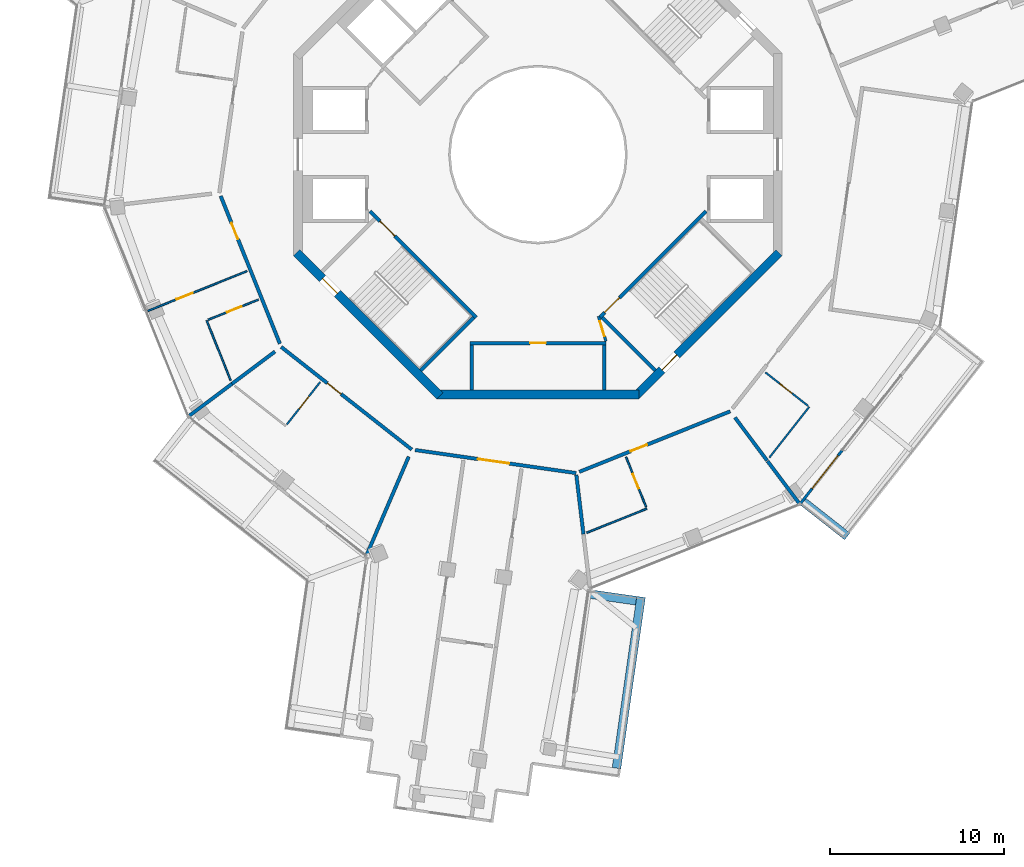
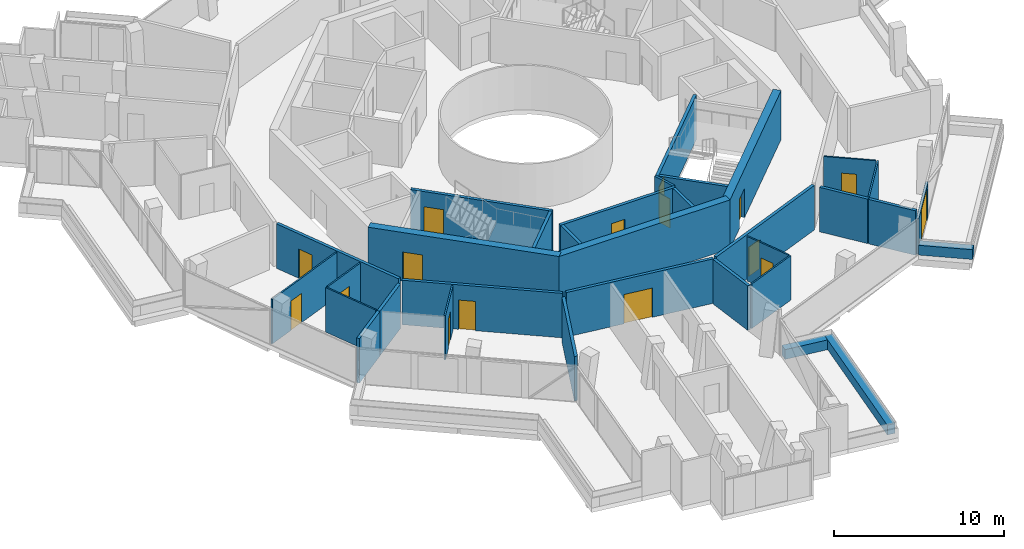
# One storey, part 16 of 23: 33 walls, 16 doors, 16 openings.
"""IFC4 building model written with IfcOpenShell, lengths in metres."""

from ifc_helpers import new_model, si_unit, direction, frame, frame_2d, origin, place, context, subcontext, project, spatial, rectangle, extrude, material, layer, layer_set, type_object, element, fill, save


model = new_model("IFC4")

# Units and contexts
model_context = context("Model", 3, precision=1e-05, world=origin(), true_north=direction((0.0, 1.0)))
body_context = subcontext(model_context, "Body", "Model", "MODEL_VIEW")
ifc_project = project(units=[si_unit("LENGTHUNIT", "METRE"), si_unit("AREAUNIT", "SQUARE_METRE"), si_unit("VOLUMEUNIT", "CUBIC_METRE"), si_unit("PLANEANGLEUNIT", "RADIAN"), si_unit("MASSUNIT", "GRAM", prefix="KILO")], contexts=[model_context])

# Site, building, storey
site_placement = place(None, origin())
site = spatial("IfcSite", under=ifc_project, at=site_placement, CompositionType="ELEMENT")
building_placement = place(site_placement, origin())
building = spatial("IfcBuilding", under=site, at=building_placement, Name="Verdalira Terraces Hotel", CompositionType="ELEMENT")
storey_placement = place(building_placement, frame((0.0, 0.0, 244.5)))
storey = spatial("IfcBuildingStorey", under=building, at=storey_placement, Name="L60", CompositionType="ELEMENT", Elevation=244.5)

# Walls
ifc_material_1 = material(Name="Concrete C40", Category="concrete")
ifc_layer_1 = layer(ifc_material_1, 0.5)
ifc_layer_set_1 = layer_set([ifc_layer_1], Name="Balcony planter trough with tree")
wall_type_1 = type_object("IfcWallType", Name="Balcony planter trough with tree", PredefinedType="SOLIDWALL", material=ifc_layer_set_1)
wall_1_placement = place(storey_placement, frame((4.504395, -35.164551, 0.0), z_axis=(0.0, 0.0, 1.0), x_axis=(0.141938642, 0.989875458, 0.0)))
element("IfcWall", 1, at=wall_1_placement, inside=storey, type_object=wall_type_1, Name="Balcony planter", PredefinedType="SOLIDWALL", context=body_context, shape_type="SweptSolid", body=[
    extrude(rectangle(XDim=9.910889, YDim=0.5, at=frame_2d((4.955566, 0.0))), origin(), (0.0, 0.0, 1.0), 0.699951),
])
wall_2_placement = place(storey_placement, frame((5.628174, -25.565918, 0.0), z_axis=(0.0, 0.0, 1.0), x_axis=(-0.989876998, 0.1419279, 0.0)))
element("IfcWall", 2, at=wall_2_placement, inside=storey, type_object=wall_type_1, Name="Balcony planter", PredefinedType="SOLIDWALL", context=body_context, shape_type="SweptSolid", body=[
    extrude(rectangle(XDim=2.698975, YDim=0.5, at=frame_2d((1.349609, 0.0))), origin(), (0.0, 0.0, 1.0), 0.699951),
])
wall_3_placement = place(storey_placement, frame((15.213135, -19.903076, 0.0), z_axis=(0.0, 0.0, 1.0), x_axis=(0.786289208, -0.617858626, 0.0)))
element("IfcWall", 3, at=wall_3_placement, inside=storey, type_object=wall_type_1, Name="Balcony planter", PredefinedType="SOLIDWALL", context=body_context, shape_type="SweptSolid", body=[
    extrude(rectangle(XDim=3.198975, YDim=0.5, at=frame_2d((1.599609, 0.0))), origin(), (0.0, 0.0, 1.0), 0.699951),
])

# Wall, opening, door
ifc_material_2 = material(Name="Moisture-resistant gypsum board partition")
ifc_layer_2 = layer(ifc_material_2, 0.10009765625)
ifc_layer_set_2 = layer_set([ifc_layer_2], Name="Bathroom partition 100 mm")
wall_type_2 = type_object("IfcWallType", Name="Bathroom partition 100 mm", PredefinedType="PARTITIONING", material=ifc_layer_set_2)
wall_4_placement = place(storey_placement, frame((-16.669434, -6.680908, 0.0), z_axis=(0.0, 0.0, 1.0), x_axis=(-0.92822734, -0.372013447, 0.0)))
wall_4 = element("IfcWall", 4, at=wall_4_placement, inside=storey, type_object=wall_type_2, Name="Bathroom partition", PredefinedType="PARTITIONING", context=body_context, shape_type="SweptSolid", body=[
    extrude(rectangle(XDim=6.149902, YDim=0.100098, at=frame_2d((3.074951, 0.0))), origin(), (0.0, 0.0, 1.0), 3.189941),
])
opening_1_placement = place(wall_4_placement, frame((3.350098, 0.0, 0.0)))
opening_1 = element("IfcOpeningElement", 5, at=opening_1_placement, cuts=wall_4, Name="Opening L60-107", PredefinedType="OPENING", context=body_context, shape_type="SweptSolid", body=[
    extrude(rectangle(XDim=1.0, YDim=2.100098, at=frame_2d((0.5, 1.050049))), frame((0.0, 0.060059, 0.0), z_axis=(0.0, -1.0, 0.0), x_axis=(1.0, 0.0, 0.0)), (0.0, 0.0, 1.0), 0.120117),
])
ifc_material_3 = material(Name="Timber door", Category="wood")
door_type_1 = type_object("IfcDoorType", Name="Suite internal door 1000 x 2100", OperationType="NOTDEFINED", PredefinedType="DOOR", material=ifc_material_3)
door_1_placement = place(opening_1_placement, origin())
door_1 = element("IfcDoor", 6, at=door_1_placement, inside=storey, type_object=door_type_1, Name="Suite internal door 6003", OperationType="SINGLE_SWING_LEFT", OverallHeight=2.10009765625, OverallWidth=1.0, PredefinedType="DOOR", context=body_context, shape_type="SweptSolid", body=[
    extrude(rectangle(XDim=1.0, YDim=2.100098, at=frame_2d((0.5, 1.050049))), frame((0.0, 0.024902, 0.0), z_axis=(0.0, -1.0, 0.0), x_axis=(1.0, 0.0, 0.0)), (0.0, 0.0, 1.0), 0.050049),
])
fill(opening_1, door_1)

# Wall
wall_5_placement = place(storey_placement, frame((-18.985596, -9.503418, 0.0), z_axis=(0.0, 0.0, 1.0), x_axis=(0.372027015, -0.928221903, 0.0)))
element("IfcWall", 7, at=wall_5_placement, inside=storey, type_object=wall_type_2, Name="Bathroom partition", PredefinedType="PARTITIONING", context=body_context, shape_type="SweptSolid", body=[
    extrude(rectangle(XDim=3.703857, YDim=0.100098, at=frame_2d((1.852051, 0.0))), origin(), (0.0, 0.0, 1.0), 3.189941),
])

# Wall, opening, door
wall_6_placement = place(storey_placement, frame((-16.015381, -8.312988, 0.0), z_axis=(0.0, 0.0, 1.0), x_axis=(-0.928215753, -0.372042357, 0.0)))
wall_6 = element("IfcWall", 8, at=wall_6_placement, inside=storey, type_object=wall_type_2, Name="Bathroom partition", PredefinedType="PARTITIONING", context=body_context, shape_type="SweptSolid", body=[
    extrude(rectangle(XDim=3.099854, YDim=0.100098, at=frame_2d((1.549805, 0.0))), origin(), (0.0, 0.0, 1.0), 3.189941),
])
opening_2_placement = place(wall_6_placement, frame((1.050049, 0.0, 0.0)))
opening_2 = element("IfcOpeningElement", 9, at=opening_2_placement, cuts=wall_6, Name="Opening L60-108", PredefinedType="OPENING", context=body_context, shape_type="SweptSolid", body=[
    extrude(rectangle(XDim=0.899902, YDim=2.100098, at=frame_2d((0.449951, 1.050049))), frame((0.0, 0.060059, 0.0), z_axis=(0.0, -1.0, 0.0), x_axis=(1.0, 0.0, 0.0)), (0.0, 0.0, 1.0), 0.120117),
])
ifc_material_4 = material(Name="Timber door", Category="wood")
door_type_2 = type_object("IfcDoorType", Name="Bathroom door 900 x 2100", OperationType="NOTDEFINED", PredefinedType="DOOR", material=ifc_material_4)
door_2_placement = place(opening_2_placement, origin())
door_2 = element("IfcDoor", 10, at=door_2_placement, inside=storey, type_object=door_type_2, Name="Bathroom door 6003", OperationType="SINGLE_SWING_RIGHT", OverallHeight=2.10009765625, OverallWidth=0.89990234375, PredefinedType="DOOR", context=body_context, shape_type="SweptSolid", body=[
    extrude(rectangle(XDim=0.899902, YDim=2.100098, at=frame_2d((0.449951, 1.050049))), frame((0.0, 0.024902, 0.0), z_axis=(0.0, -1.0, 0.0), x_axis=(1.0, 0.0, 0.0)), (0.0, 0.0, 1.0), 0.050049),
])
fill(opening_2, door_2)

wall_7_placement = place(storey_placement, frame((-14.393555, -15.471436, 0.0), z_axis=(0.0, 0.0, 1.0), x_axis=(0.617842421, 0.786301941, 0.0)))
wall_7 = element("IfcWall", 11, at=wall_7_placement, inside=storey, type_object=wall_type_2, Name="Bathroom partition", PredefinedType="PARTITIONING", context=body_context, shape_type="SweptSolid", body=[
    extrude(rectangle(XDim=3.099854, YDim=0.100098, at=frame_2d((1.549805, 0.0))), origin(), (0.0, 0.0, 1.0), 3.189941),
])
opening_3_placement = place(wall_7_placement, frame((1.149902, 0.0, 0.0)))
opening_3 = element("IfcOpeningElement", 12, at=opening_3_placement, cuts=wall_7, Name="Opening L60-110", PredefinedType="OPENING", context=body_context, shape_type="SweptSolid", body=[
    extrude(rectangle(XDim=0.899902, YDim=2.100098, at=frame_2d((0.449951, 1.050049))), frame((0.0, 0.060059, 0.0), z_axis=(0.0, -1.0, 0.0), x_axis=(1.0, 0.0, 0.0)), (0.0, 0.0, 1.0), 0.120117),
])
door_3_placement = place(opening_3_placement, origin())
door_3 = element("IfcDoor", 13, at=door_3_placement, inside=storey, type_object=door_type_2, Name="Bathroom door 6004", OperationType="SINGLE_SWING_LEFT", OverallHeight=2.10009765625, OverallWidth=0.89990234375, PredefinedType="DOOR", context=body_context, shape_type="SweptSolid", body=[
    extrude(rectangle(XDim=0.899902, YDim=2.100098, at=frame_2d((0.449951, 1.050049))), frame((0.0, 0.024902, 0.0), z_axis=(0.0, -1.0, 0.0), x_axis=(1.0, 0.0, 0.0)), (0.0, 0.0, 1.0), 0.050049),
])
fill(opening_3, door_3)

# Wall
wall_8_placement = place(storey_placement, frame((6.239014, -20.293701, 0.0), z_axis=(0.0, 0.0, 1.0), x_axis=(-0.928199139, -0.372083805, 0.0)))
element("IfcWall", 14, at=wall_8_placement, inside=storey, type_object=wall_type_2, Name="Bathroom partition", PredefinedType="PARTITIONING", context=body_context, shape_type="SweptSolid", body=[
    extrude(rectangle(XDim=3.703857, YDim=0.100098, at=frame_2d((1.852051, 0.0))), origin(), (0.0, 0.0, 1.0), 3.189941),
])

# Wall, opening, door
wall_9_placement = place(storey_placement, frame((6.201904, -20.200928, 0.0), z_axis=(0.0, 0.0, 1.0), x_axis=(-0.372042357, 0.928215753, 0.0)))
wall_9 = element("IfcWall", 15, at=wall_9_placement, inside=storey, type_object=wall_type_2, Name="Bathroom partition", PredefinedType="PARTITIONING", context=body_context, shape_type="SweptSolid", body=[
    extrude(rectangle(XDim=3.099854, YDim=0.100098, at=frame_2d((1.549805, 0.0))), origin(), (0.0, 0.0, 1.0), 3.189941),
])
opening_4_placement = place(wall_9_placement, frame((1.149902, 0.0, 0.0)))
opening_4 = element("IfcOpeningElement", 16, at=opening_4_placement, cuts=wall_9, Name="Opening L60-116", PredefinedType="OPENING", context=body_context, shape_type="SweptSolid", body=[
    extrude(rectangle(XDim=0.899902, YDim=2.100098, at=frame_2d((0.449951, 1.050049))), frame((0.0, 0.060059, 0.0), z_axis=(0.0, -1.0, 0.0), x_axis=(1.0, 0.0, 0.0)), (0.0, 0.0, 1.0), 0.120117),
])
door_4_placement = place(opening_4_placement, origin())
door_4 = element("IfcDoor", 17, at=door_4_placement, inside=storey, type_object=door_type_2, Name="Bathroom door 6006", OperationType="SINGLE_SWING_LEFT", OverallHeight=2.10009765625, OverallWidth=0.89990234375, PredefinedType="DOOR", context=body_context, shape_type="SweptSolid", body=[
    extrude(rectangle(XDim=0.899902, YDim=2.100098, at=frame_2d((0.449951, 1.050049))), frame((0.0, 0.024902, 0.0), z_axis=(0.0, -1.0, 0.0), x_axis=(1.0, 0.0, 0.0)), (0.0, 0.0, 1.0), 0.050049),
])
fill(opening_4, door_4)

wall_10_placement = place(storey_placement, frame((15.471436, -14.393555, 0.0), z_axis=(0.0, 0.0, 1.0), x_axis=(-0.786301941, 0.617842421, 0.0)))
wall_10 = element("IfcWall", 18, at=wall_10_placement, inside=storey, type_object=wall_type_2, Name="Bathroom partition", PredefinedType="PARTITIONING", context=body_context, shape_type="SweptSolid", body=[
    extrude(rectangle(XDim=3.099854, YDim=0.100098, at=frame_2d((1.549805, 0.0))), origin(), (0.0, 0.0, 1.0), 3.189941),
])
opening_5_placement = place(wall_10_placement, frame((1.149902, 0.0, 0.0)))
opening_5 = element("IfcOpeningElement", 19, at=opening_5_placement, cuts=wall_10, Name="Opening L60-118", PredefinedType="OPENING", context=body_context, shape_type="SweptSolid", body=[
    extrude(rectangle(XDim=0.899902, YDim=2.100098, at=frame_2d((0.449951, 1.050049))), frame((0.0, 0.060059, 0.0), z_axis=(0.0, -1.0, 0.0), x_axis=(1.0, 0.0, 0.0)), (0.0, 0.0, 1.0), 0.120117),
])
door_5_placement = place(opening_5_placement, origin())
door_5 = element("IfcDoor", 20, at=door_5_placement, inside=storey, type_object=door_type_2, Name="Bathroom door 6007", OperationType="SINGLE_SWING_LEFT", OverallHeight=2.10009765625, OverallWidth=0.89990234375, PredefinedType="DOOR", context=body_context, shape_type="SweptSolid", body=[
    extrude(rectangle(XDim=0.899902, YDim=2.100098, at=frame_2d((0.449951, 1.050049))), frame((0.0, 0.024902, 0.0), z_axis=(0.0, -1.0, 0.0), x_axis=(1.0, 0.0, 0.0)), (0.0, 0.0, 1.0), 0.050049),
])
fill(opening_5, door_5)

# Wall
wall_11_placement = place(storey_placement, frame((15.550049, -14.455322, 0.0), z_axis=(0.0, 0.0, 1.0), x_axis=(-0.617798264, -0.786336636, 0.0)))
element("IfcWall", 21, at=wall_11_placement, inside=storey, type_object=wall_type_2, Name="Bathroom partition", PredefinedType="PARTITIONING", context=body_context, shape_type="SweptSolid", body=[
    extrude(rectangle(XDim=3.704102, YDim=0.100098, at=frame_2d((1.852051, 0.0))), origin(), (0.0, 0.0, 1.0), 3.189941),
])

# Wall, opening, door
ifc_material_5 = material(Name="Concrete C50", Category="concrete")
ifc_layer_3 = layer(ifc_material_5, 0.199951171875)
ifc_layer_set_3 = layer_set([ifc_layer_3], Name="Core RC wall 200 C50")
wall_type_3 = type_object("IfcWallType", Name="Core RC wall 200 C50", PredefinedType="SOLIDWALL", material=ifc_layer_set_3)
wall_12_placement = place(storey_placement, frame((-3.899902, -10.800049, 0.0), z_axis=(0.0, 0.0, 1.0), x_axis=(1.0, 0.0, 0.0)))
wall_12 = element("IfcWall", 22, at=wall_12_placement, inside=storey, type_object=wall_type_3, Name="L60 store front wall", PredefinedType="SOLIDWALL", context=body_context, shape_type="SweptSolid", body=[
    extrude(rectangle(XDim=7.799805, YDim=0.199951, at=frame_2d((3.899902, 0.0))), origin(), (0.0, 0.0, 1.0), 3.189941),
])
opening_6_placement = place(wall_12_placement, frame((3.449951, 0.0, 0.0)))
opening_6 = element("IfcOpeningElement", 23, at=opening_6_placement, cuts=wall_12, Name="Opening L60-801", PredefinedType="OPENING", context=body_context, shape_type="SweptSolid", body=[
    extrude(rectangle(XDim=0.899902, YDim=2.100098, at=frame_2d((0.449951, 1.050049))), frame((0.0, 0.109863, 0.0), z_axis=(0.0, -1.0, 0.0), x_axis=(1.0, 0.0, 0.0)), (0.0, 0.0, 1.0), 0.219971),
])
ifc_material_6 = material(Name="Steel fire door", Category="steel")
door_type_3 = type_object("IfcDoorType", Name="Core room door 900 x 2100", OperationType="NOTDEFINED", PredefinedType="DOOR", material=ifc_material_6)
door_6_placement = place(opening_6_placement, origin())
door_6 = element("IfcDoor", 24, at=door_6_placement, inside=storey, type_object=door_type_3, Name="Store door L60 SS", OperationType="SINGLE_SWING_LEFT", OverallHeight=2.10009765625, OverallWidth=0.89990234375, PredefinedType="DOOR", context=body_context, shape_type="SweptSolid", body=[
    extrude(rectangle(XDim=0.899902, YDim=2.100098, at=frame_2d((0.449951, 1.050049))), frame((0.0, 0.024902, 0.0), z_axis=(0.0, -1.0, 0.0), x_axis=(1.0, 0.0, 0.0)), (0.0, 0.0, 1.0), 0.050049),
])
fill(opening_6, door_6)

# Walls
for number, where, z_axis, x_axis, name in (
    (25, (-3.800049, -10.899902, 0.0), (0.0, 0.0, 1.0), (0.0, -1.0, 0.0), "L60 store side wall"),
    (26, (3.800049, -10.899902, 0.0), (0.0, 0.0, 1.0), (0.0, -1.0, 0.0), "L60 store side wall"),
):
    element("IfcWall", number, at=place(storey_placement, frame(where, z_axis=z_axis, x_axis=x_axis)), inside=storey, type_object=wall_type_3, Name=name, PredefinedType="SOLIDWALL", context=body_context, shape_type="SweptSolid", body=[
        extrude(rectangle(XDim=2.600098, YDim=0.199951, at=frame_2d((1.300049, 0.0))), origin(), (0.0, 0.0, 1.0), 3.189941),
    ])

# Wall, opening, door
wall_13_placement = place(storey_placement, frame((-3.5354, -9.33374, 0.0), z_axis=(0.0, 0.0, 1.0), x_axis=(-0.707120946, 0.707092617, 0.0)))
wall_13 = element("IfcWall", 27, at=wall_13_placement, inside=storey, type_object=wall_type_3, Name="L60 stair ST2 front wall", PredefinedType="SOLIDWALL", context=body_context, shape_type="SweptSolid", body=[
    extrude(rectangle(XDim=8.61792, YDim=0.199951, at=frame_2d((4.309082, 0.0))), origin(), (0.0, 0.0, 1.0), 3.189941),
])
opening_7_placement = place(wall_13_placement, frame((6.600098, 0.0, 0.0)))
opening_7 = element("IfcOpeningElement", 28, at=opening_7_placement, cuts=wall_13, Name="Opening L60-811", PredefinedType="OPENING", context=body_context, shape_type="SweptSolid", body=[
    extrude(rectangle(XDim=1.199951, YDim=2.100098, at=frame_2d((0.600098, 1.050049))), frame((0.0, 0.109863, 0.0), z_axis=(0.0, -1.0, 0.0), x_axis=(1.0, 0.0, 0.0)), (0.0, 0.0, 1.0), 0.219971),
])
ifc_material_7 = material(Name="Steel fire door", Category="steel")
door_type_4 = type_object("IfcDoorType", Name="Stair door 1200 x 2100", OperationType="NOTDEFINED", PredefinedType="DOOR", material=ifc_material_7)
door_7_placement = place(opening_7_placement, origin())
door_7 = element("IfcDoor", 29, at=door_7_placement, inside=storey, type_object=door_type_4, Name="Stair door ST2 L60", OperationType="SINGLE_SWING_RIGHT", OverallHeight=2.10009765625, OverallWidth=1.199951171875, PredefinedType="DOOR", context=body_context, shape_type="SweptSolid", body=[
    extrude(rectangle(XDim=1.199951, YDim=2.100098, at=frame_2d((0.600098, 1.050049))), frame((0.0, 0.024902, 0.0), z_axis=(0.0, -1.0, 0.0), x_axis=(1.0, 0.0, 0.0)), (0.0, 0.0, 1.0), 0.050049),
])
fill(opening_7, door_7)

# Wall
wall_14_placement = place(storey_placement, frame((-3.677002, -9.33374, 0.0), z_axis=(0.0, 0.0, 1.0), x_axis=(-0.707078393, -0.707135168, 0.0)))
element("IfcWall", 30, at=wall_14_placement, inside=storey, type_object=wall_type_3, Name="L60 stair ST2 end wall 2", PredefinedType="SOLIDWALL", context=body_context, shape_type="SweptSolid", body=[
    extrude(rectangle(XDim=4.300049, YDim=0.199951, at=frame_2d((2.149902, 0.0))), origin(), (0.0, 0.0, 1.0), 3.189941),
])

# Wall, opening, door
wall_15_placement = place(storey_placement, frame((9.629395, -3.23999, 0.0), z_axis=(0.0, 0.0, 1.0), x_axis=(-0.707120946, -0.707092617, 0.0)))
wall_15 = element("IfcWall", 31, at=wall_15_placement, inside=storey, type_object=wall_type_3, Name="L60 stair ST3 front wall", PredefinedType="SOLIDWALL", context=body_context, shape_type="SweptSolid", body=[
    extrude(rectangle(XDim=8.61792, YDim=0.199951, at=frame_2d((4.309082, 0.0))), origin(), (0.0, 0.0, 1.0), 3.189941),
])
opening_8_placement = place(wall_15_placement, frame((7.017822, 0.0, 0.0)))
opening_8 = element("IfcOpeningElement", 32, at=opening_8_placement, cuts=wall_15, Name="Opening L60-812", PredefinedType="OPENING", context=body_context, shape_type="SweptSolid", body=[
    extrude(rectangle(XDim=1.199951, YDim=2.100098, at=frame_2d((0.600098, 1.050049))), frame((0.0, 0.109863, 0.0), z_axis=(0.0, -1.0, 0.0), x_axis=(1.0, 0.0, 0.0)), (0.0, 0.0, 1.0), 0.219971),
])
door_8_placement = place(opening_8_placement, origin())
door_8 = element("IfcDoor", 33, at=door_8_placement, inside=storey, type_object=door_type_4, Name="Stair door ST3 L60", OperationType="SINGLE_SWING_RIGHT", OverallHeight=2.10009765625, OverallWidth=1.199951171875, PredefinedType="DOOR", context=body_context, shape_type="SweptSolid", body=[
    extrude(rectangle(XDim=1.199951, YDim=2.100098, at=frame_2d((0.600098, 1.050049))), frame((0.0, 0.024902, 0.0), z_axis=(0.0, -1.0, 0.0), x_axis=(1.0, 0.0, 0.0)), (0.0, 0.0, 1.0), 0.050049),
])
fill(opening_8, door_8)

# Wall
wall_16_placement = place(storey_placement, frame((3.677002, -9.33374, 0.0), z_axis=(0.0, 0.0, 1.0), x_axis=(0.707078393, -0.707135168, 0.0)))
element("IfcWall", 34, at=wall_16_placement, inside=storey, type_object=wall_type_3, Name="L60 stair ST3 end wall 1", PredefinedType="SOLIDWALL", context=body_context, shape_type="SweptSolid", body=[
    extrude(rectangle(XDim=4.300049, YDim=0.199951, at=frame_2d((2.149902, 0.0))), origin(), (0.0, 0.0, 1.0), 3.189941),
])

# Wall, opening, door
ifc_material_8 = material(Name="Gypsum board partition")
ifc_layer_4 = layer(ifc_material_8, 0.14990234375)
ifc_layer_set_4 = layer_set([ifc_layer_4], Name="Core partition 150 mm")
wall_type_4 = type_object("IfcWallType", Name="Core partition 150 mm", PredefinedType="PARTITIONING", material=ifc_layer_set_4)
wall_17_placement = place(storey_placement, frame((3.899902, -10.699951, 0.0), z_axis=(0.0, 0.0, 1.0), x_axis=(-0.289808785, 0.957084567, 0.0)))
wall_17 = element("IfcWall", 35, at=wall_17_placement, inside=storey, type_object=wall_type_4, Name="Room partition L60", PredefinedType="PARTITIONING", context=body_context, shape_type="SweptSolid", body=[
    extrude(rectangle(XDim=1.501221, YDim=0.149902, at=frame_2d((0.750488, 0.0))), origin(), (0.0, 0.0, 1.0), 3.189941),
])
opening_9_placement = place(wall_17_placement, frame((0.300781, 0.0, 0.0)))
opening_9 = element("IfcOpeningElement", 36, at=opening_9_placement, cuts=wall_17, Name="Opening L60-822", PredefinedType="OPENING", context=body_context, shape_type="SweptSolid", body=[
    extrude(rectangle(XDim=0.899902, YDim=2.100098, at=frame_2d((0.449951, 1.050049))), frame((0.0, 0.084961, 0.0), z_axis=(0.0, -1.0, 0.0), x_axis=(1.0, 0.0, 0.0)), (0.0, 0.0, 1.0), 0.169922),
])
door_9_placement = place(opening_9_placement, origin())
door_9 = element("IfcDoor", 37, at=door_9_placement, inside=storey, type_object=door_type_3, Name="Door L60 room6", OperationType="SINGLE_SWING_LEFT", OverallHeight=2.10009765625, OverallWidth=0.89990234375, PredefinedType="DOOR", context=body_context, shape_type="SweptSolid", body=[
    extrude(rectangle(XDim=0.899902, YDim=2.100098, at=frame_2d((0.449951, 1.050049))), frame((0.0, 0.024902, 0.0), z_axis=(0.0, -1.0, 0.0), x_axis=(1.0, 0.0, 0.0)), (0.0, 0.0, 1.0), 0.050049),
])
fill(opening_9, door_9)

ifc_material_9 = material(Name="Concrete C50", Category="concrete")
ifc_layer_5 = layer(ifc_material_9, 0.5)
ifc_layer_set_5 = layer_set([ifc_layer_5], Name="Core wall 500 C50")
wall_type_5 = type_object("IfcWallType", Name="Core wall 500 C50", PredefinedType="SHEAR", material=ifc_layer_set_5)
wall_18_placement = place(storey_placement, frame((-13.823242, -5.622314, 0.0), z_axis=(0.0, 0.0, 1.0), x_axis=(0.707106781, -0.707106781, 0.0)))
wall_18 = element("IfcWall", 38, at=wall_18_placement, inside=storey, type_object=wall_type_5, Name="Core wall CW-L60-6", PredefinedType="SHEAR", context=body_context, shape_type="SweptSolid", body=[
    extrude(rectangle(XDim=11.5979, YDim=0.5, at=frame_2d((5.798828, 0.0))), origin(), (0.0, 0.0, 1.0), 3.5),
])
opening_10_placement = place(wall_18_placement, frame((2.099121, 0.0, 0.0)))
opening_10 = element("IfcOpeningElement", 39, at=opening_10_placement, cuts=wall_18, Name="Opening L60-817", PredefinedType="OPENING", context=body_context, shape_type="SweptSolid", body=[
    extrude(rectangle(XDim=1.199951, YDim=2.100098, at=frame_2d((0.600098, 1.050049))), frame((0.0, 0.26001, 0.0), z_axis=(0.0, -1.0, 0.0), x_axis=(1.0, 0.0, 0.0)), (0.0, 0.0, 1.0), 0.52002),
])
door_10_placement = place(opening_10_placement, origin())
door_10 = element("IfcDoor", 40, at=door_10_placement, inside=storey, type_object=door_type_4, Name="Stair exit door ST2 L60", OperationType="SINGLE_SWING_LEFT", OverallHeight=2.10009765625, OverallWidth=1.199951171875, PredefinedType="DOOR", context=body_context, shape_type="SweptSolid", body=[
    extrude(rectangle(XDim=1.199951, YDim=2.100098, at=frame_2d((0.600098, 1.050049))), frame((0.0, 0.024902, 0.0), z_axis=(0.0, -1.0, 0.0), x_axis=(1.0, 0.0, 0.0)), (0.0, 0.0, 1.0), 0.050049),
])
fill(opening_10, door_10)

# Wall
wall_19_placement = place(storey_placement, frame((-5.799072, -13.75, 0.0), z_axis=(0.0, 0.0, 1.0), x_axis=(1.0, 0.0, 0.0)))
element("IfcWall", 41, at=wall_19_placement, inside=storey, type_object=wall_type_5, Name="Core wall CW-L60-7", PredefinedType="SHEAR", context=body_context, shape_type="SweptSolid", body=[
    extrude(rectangle(XDim=11.598145, YDim=0.5, at=frame_2d((5.799072, 0.0))), origin(), (0.0, 0.0, 1.0), 3.5),
])

# Wall, opening, door
wall_20_placement = place(storey_placement, frame((5.622314, -13.823242, 0.0), z_axis=(0.0, 0.0, 1.0), x_axis=(0.707106781, 0.707106781, 0.0)))
wall_20 = element("IfcWall", 42, at=wall_20_placement, inside=storey, type_object=wall_type_5, Name="Core wall CW-L60-8", PredefinedType="SHEAR", context=body_context, shape_type="SweptSolid", body=[
    extrude(rectangle(XDim=11.5979, YDim=0.5, at=frame_2d((5.798828, 0.0))), origin(), (0.0, 0.0, 1.0), 3.5),
])
opening_11_placement = place(wall_20_placement, frame((2.099121, 0.0, 0.0)))
opening_11 = element("IfcOpeningElement", 43, at=opening_11_placement, cuts=wall_20, Name="Opening L60-818", PredefinedType="OPENING", context=body_context, shape_type="SweptSolid", body=[
    extrude(rectangle(XDim=1.199951, YDim=2.100098, at=frame_2d((0.600098, 1.050049))), frame((0.0, 0.26001, 0.0), z_axis=(0.0, -1.0, 0.0), x_axis=(1.0, 0.0, 0.0)), (0.0, 0.0, 1.0), 0.52002),
])
door_11_placement = place(opening_11_placement, origin())
door_11 = element("IfcDoor", 44, at=door_11_placement, inside=storey, type_object=door_type_4, Name="Stair exit door ST3 L60", OperationType="SINGLE_SWING_LEFT", OverallHeight=2.10009765625, OverallWidth=1.199951171875, PredefinedType="DOOR", context=body_context, shape_type="SweptSolid", body=[
    extrude(rectangle(XDim=1.199951, YDim=2.100098, at=frame_2d((0.600098, 1.050049))), frame((0.0, 0.024902, 0.0), z_axis=(0.0, -1.0, 0.0), x_axis=(1.0, 0.0, 0.0)), (0.0, 0.0, 1.0), 0.050049),
])
fill(opening_11, door_11)

# Walls
ifc_material_10 = material(Name="Fire-rated gypsum board wall")
ifc_layer_6 = layer(ifc_material_10, 0.199951171875)
ifc_layer_set_6 = layer_set([ifc_layer_6], Name="Demising wall 200 mm")
wall_type_6 = type_object("IfcWallType", Name="Demising wall 200 mm", PredefinedType="SOLIDWALL", material=ifc_layer_set_6)
wall_21_placement = place(storey_placement, frame((-17.530518, -13.133789, 0.0), z_axis=(0.0, 0.0, 1.0), x_axis=(-0.800335044, -0.599553015, 0.0)))
element("IfcWall", 45, at=wall_21_placement, inside=storey, type_object=wall_type_6, Name="Demising wall", PredefinedType="SOLIDWALL", context=body_context, shape_type="SweptSolid", body=[
    extrude(rectangle(XDim=3.059326, YDim=0.199951, at=frame_2d((1.529785, 0.0))), origin(), (0.0, 0.0, 1.0), 3.189941),
])
wall_22_placement = place(storey_placement, frame((-15.071533, -11.29126, 0.0), z_axis=(0.0, 0.0, 1.0), x_axis=(-0.800266888, -0.599643984, 0.0)))
element("IfcWall", 46, at=wall_22_placement, inside=storey, type_object=wall_type_6, Name="Demising wall", PredefinedType="SOLIDWALL", context=body_context, shape_type="SweptSolid", body=[
    extrude(rectangle(XDim=3.072754, YDim=0.199951, at=frame_2d((1.536377, 0.0))), origin(), (0.0, 0.0, 1.0), 3.189941),
])
wall_23_placement = place(storey_placement, frame((-9.818359, -22.952148, 0.0), z_axis=(0.0, 0.0, 1.0), x_axis=(0.393313779, 0.919404302, 0.0)))
element("IfcWall", 47, at=wall_23_placement, inside=storey, type_object=wall_type_6, Name="Demising wall", PredefinedType="SOLIDWALL", context=body_context, shape_type="SweptSolid", body=[
    extrude(rectangle(XDim=6.13208, YDim=0.199951, at=frame_2d((3.065918, 0.0))), origin(), (0.0, 0.0, 1.0), 3.189941),
])
wall_24_placement = place(storey_placement, frame((2.201904, -18.356689, 0.0), z_axis=(0.0, 0.0, 1.0), x_axis=(0.119057916, -0.992887311, 0.0)))
element("IfcWall", 48, at=wall_24_placement, inside=storey, type_object=wall_type_6, Name="Demising wall", PredefinedType="SOLIDWALL", context=body_context, shape_type="SweptSolid", body=[
    extrude(rectangle(XDim=3.418457, YDim=0.199951, at=frame_2d((1.709229, 0.0))), origin(), (0.0, 0.0, 1.0), 3.189941),
])
wall_25_placement = place(storey_placement, frame((11.291504, -15.071533, 0.0), z_axis=(0.0, 0.0, 1.0), x_axis=(0.599580664, -0.800314331, 0.0)))
element("IfcWall", 49, at=wall_25_placement, inside=storey, type_object=wall_type_6, Name="Demising wall", PredefinedType="SOLIDWALL", context=body_context, shape_type="SweptSolid", body=[
    extrude(rectangle(XDim=3.074707, YDim=0.199951, at=frame_2d((1.537354, 0.0))), origin(), (0.0, 0.0, 1.0), 3.189941),
])
wall_26_placement = place(storey_placement, frame((13.162354, -17.569092, 0.0), z_axis=(0.0, 0.0, 1.0), x_axis=(0.59962375, -0.800282049, 0.0)))
element("IfcWall", 50, at=wall_26_placement, inside=storey, type_object=wall_type_6, Name="Demising wall", PredefinedType="SOLIDWALL", context=body_context, shape_type="SweptSolid", body=[
    extrude(rectangle(XDim=3.01123, YDim=0.199951, at=frame_2d((1.505615, 0.0))), origin(), (0.0, 0.0, 1.0), 3.189941),
])

# Wall, opening, door
ifc_material_11 = material(Name="Fire-rated gypsum board wall")
ifc_layer_7 = layer(ifc_material_11, 0.199951171875)
ifc_layer_set_7 = layer_set([ifc_layer_7], Name="Guest corridor wall 200 mm")
wall_type_7 = type_object("IfcWallType", Name="Guest corridor wall 200 mm", PredefinedType="SOLIDWALL", material=ifc_layer_set_7)
wall_27_placement = place(storey_placement, frame((-14.788086, -10.837402, 0.0), z_axis=(0.0, 0.0, 1.0), x_axis=(-0.372004694, 0.928230848, 0.0)))
wall_27 = element("IfcWall", 51, at=wall_27_placement, inside=storey, type_object=wall_type_7, Name="Guest corridor wall", PredefinedType="SOLIDWALL", context=body_context, shape_type="SweptSolid", body=[
    extrude(rectangle(XDim=9.116455, YDim=0.199951, at=frame_2d((4.558105, 0.0))), origin(), (0.0, 0.0, 1.0), 3.189941),
])
opening_12_placement = place(wall_27_placement, frame((6.458252, 0.0, 0.0)))
opening_12 = element("IfcOpeningElement", 52, at=opening_12_placement, cuts=wall_27, Name="Opening L60-106", PredefinedType="OPENING", context=body_context, shape_type="SweptSolid", body=[
    extrude(rectangle(XDim=1.0, YDim=2.100098, at=frame_2d((0.5, 1.050049))), frame((0.0, 0.109863, 0.0), z_axis=(0.0, -1.0, 0.0), x_axis=(1.0, 0.0, 0.0)), (0.0, 0.0, 1.0), 0.219971),
])
ifc_material_12 = material(Name="Timber fire door", Category="wood")
door_type_5 = type_object("IfcDoorType", Name="Guest entry door 1000 x 2100", OperationType="NOTDEFINED", PredefinedType="DOOR", material=ifc_material_12)
door_12_placement = place(opening_12_placement, origin())
door_12 = element("IfcDoor", 53, at=door_12_placement, inside=storey, type_object=door_type_5, Name="Guest entry door 6003", OperationType="SINGLE_SWING_LEFT", OverallHeight=2.10009765625, OverallWidth=1.0, PredefinedType="DOOR", context=body_context, shape_type="SweptSolid", body=[
    extrude(rectangle(XDim=1.0, YDim=2.100098, at=frame_2d((0.5, 1.050049))), frame((0.0, 0.024902, 0.0), z_axis=(0.0, -1.0, 0.0), x_axis=(1.0, 0.0, 0.0)), (0.0, 0.0, 1.0), 0.050049),
])
fill(opening_12, door_12)

wall_28_placement = place(storey_placement, frame((-7.230713, -16.903076, 0.0), z_axis=(0.0, 0.0, 1.0), x_axis=(-0.7862854, 0.617863472, 0.0)))
wall_28 = element("IfcWall", 54, at=wall_28_placement, inside=storey, type_object=wall_type_7, Name="Guest corridor wall", PredefinedType="SOLIDWALL", context=body_context, shape_type="SweptSolid", body=[
    extrude(rectangle(XDim=9.516357, YDim=0.199951, at=frame_2d((4.758301, 0.0))), origin(), (0.0, 0.0, 1.0), 3.189941),
])
opening_13_placement = place(wall_28_placement, frame((5.149902, 0.0, 0.0)))
opening_13 = element("IfcOpeningElement", 55, at=opening_13_placement, cuts=wall_28, Name="Opening L60-109", PredefinedType="OPENING", context=body_context, shape_type="SweptSolid", body=[
    extrude(rectangle(XDim=1.0, YDim=2.100098, at=frame_2d((0.5, 1.050049))), frame((0.0, 0.109863, 0.0), z_axis=(0.0, -1.0, 0.0), x_axis=(1.0, 0.0, 0.0)), (0.0, 0.0, 1.0), 0.219971),
])
door_13_placement = place(opening_13_placement, origin())
door_13 = element("IfcDoor", 56, at=door_13_placement, inside=storey, type_object=door_type_5, Name="Guest entry door 6004", OperationType="SINGLE_SWING_LEFT", OverallHeight=2.10009765625, OverallWidth=1.0, PredefinedType="DOOR", context=body_context, shape_type="SweptSolid", body=[
    extrude(rectangle(XDim=1.0, YDim=2.100098, at=frame_2d((0.5, 1.050049))), frame((0.0, 0.024902, 0.0), z_axis=(0.0, -1.0, 0.0), x_axis=(1.0, 0.0, 0.0)), (0.0, 0.0, 1.0), 0.050049),
])
fill(opening_13, door_13)

wall_29_placement = place(storey_placement, frame((2.189697, -18.253906, 0.0), z_axis=(0.0, 0.0, 1.0), x_axis=(-0.989873884, 0.141949618, 0.0)))
wall_29 = element("IfcWall", 57, at=wall_29_placement, inside=storey, type_object=wall_type_7, Name="Guest corridor wall", PredefinedType="SOLIDWALL", context=body_context, shape_type="SweptSolid", body=[
    extrude(rectangle(XDim=9.31665, YDim=0.199951, at=frame_2d((4.658203, 0.0))), origin(), (0.0, 0.0, 1.0), 3.189941),
])
opening_14_placement = place(wall_29_placement, frame((3.881348, 0.0, 0.0)))
opening_14 = element("IfcOpeningElement", 58, at=opening_14_placement, cuts=wall_29, Name="Opening L60-111", PredefinedType="OPENING", context=body_context, shape_type="SweptSolid", body=[
    extrude(rectangle(XDim=1.800049, YDim=2.100098, at=frame_2d((0.899902, 1.050049))), frame((0.0, 0.109863, 0.0), z_axis=(0.0, -1.0, 0.0), x_axis=(1.0, 0.0, 0.0)), (0.0, 0.0, 1.0), 0.219971),
])
ifc_material_13 = material(Name="Timber fire door", Category="wood")
door_type_6 = type_object("IfcDoorType", Name="Public room double door 1800 x 2100", OperationType="NOTDEFINED", PredefinedType="DOOR", material=ifc_material_13)
door_14_placement = place(opening_14_placement, origin())
door_14 = element("IfcDoor", 59, at=door_14_placement, inside=storey, type_object=door_type_6, Name="Public room double door 6005", OperationType="DOUBLE_DOOR_SINGLE_SWING", OverallHeight=2.10009765625, OverallWidth=1.800048828125, PredefinedType="DOOR", context=body_context, shape_type="SweptSolid", body=[
    extrude(rectangle(XDim=1.800049, YDim=2.100098, at=frame_2d((0.899902, 1.050049))), frame((0.0, 0.024902, 0.0), z_axis=(0.0, -1.0, 0.0), x_axis=(1.0, 0.0, 0.0)), (0.0, 0.0, 1.0), 0.050049),
])
fill(opening_14, door_14)

wall_30_placement = place(storey_placement, frame((11.023193, -14.713623, 0.0), z_axis=(0.0, 0.0, 1.0), x_axis=(-0.928230703, -0.372005055, 0.0)))
wall_30 = element("IfcWall", 60, at=wall_30_placement, inside=storey, type_object=wall_type_7, Name="Guest corridor wall", PredefinedType="SOLIDWALL", context=body_context, shape_type="SweptSolid", body=[
    extrude(rectangle(XDim=9.31665, YDim=0.199951, at=frame_2d((4.658203, 0.0))), origin(), (0.0, 0.0, 1.0), 3.189941),
])
opening_15_placement = place(wall_30_placement, frame((5.149902, 0.0, 0.0)))
opening_15 = element("IfcOpeningElement", 61, at=opening_15_placement, cuts=wall_30, Name="Opening L60-115", PredefinedType="OPENING", context=body_context, shape_type="SweptSolid", body=[
    extrude(rectangle(XDim=1.0, YDim=2.100098, at=frame_2d((0.5, 1.050049))), frame((0.0, 0.109863, 0.0), z_axis=(0.0, -1.0, 0.0), x_axis=(1.0, 0.0, 0.0)), (0.0, 0.0, 1.0), 0.219971),
])
door_15_placement = place(opening_15_placement, origin())
door_15 = element("IfcDoor", 62, at=door_15_placement, inside=storey, type_object=door_type_5, Name="Guest entry door 6006", OperationType="SINGLE_SWING_LEFT", OverallHeight=2.10009765625, OverallWidth=1.0, PredefinedType="DOOR", context=body_context, shape_type="SweptSolid", body=[
    extrude(rectangle(XDim=1.0, YDim=2.100098, at=frame_2d((0.5, 1.050049))), frame((0.0, 0.024902, 0.0), z_axis=(0.0, -1.0, 0.0), x_axis=(1.0, 0.0, 0.0)), (0.0, 0.0, 1.0), 0.050049),
])
fill(opening_15, door_15)

ifc_material_14 = material(Name="Terracotta cladding", Category="masonry")
ifc_layer_8 = layer(ifc_material_14, 0.14990234375)
ifc_layer_set_8 = layer_set([ifc_layer_8], Name="Terracotta door pier 150")
wall_type_8 = type_object("IfcWallType", Name="Terracotta door pier 150", PredefinedType="SOLIDWALL", material=ifc_layer_set_8)
wall_31_placement = place(storey_placement, frame((15.060791, -19.973877, 0.0), z_axis=(0.0, 0.0, 1.0), x_axis=(0.617896909, 0.786259124, 0.0)))
wall_31 = element("IfcWall", 63, at=wall_31_placement, inside=storey, type_object=wall_type_8, Name="Terracotta door pier", PredefinedType="SOLIDWALL", context=body_context, shape_type="SweptSolid", body=[
    extrude(rectangle(XDim=3.863037, YDim=0.149902, at=frame_2d((1.931641, 0.0))), origin(), (0.0, 0.0, 1.0), 2.524902),
])
opening_16_placement = place(wall_31_placement, frame((1.062988, 0.0, 0.0)))
opening_16 = element("IfcOpeningElement", 64, at=opening_16_placement, cuts=wall_31, Name="Opening L60-B10", PredefinedType="OPENING", context=body_context, shape_type="SweptSolid", body=[
    extrude(rectangle(XDim=2.399902, YDim=2.399902, at=frame_2d((1.199951, 1.199951))), frame((0.0, 0.084961, 0.0), z_axis=(0.0, -1.0, 0.0), x_axis=(1.0, 0.0, 0.0)), (0.0, 0.0, 1.0), 0.169922),
])
ifc_material_15 = material(Name="Clear glass", Category="glass")
door_type_7 = type_object("IfcDoorType", Name="Balcony sliding door 2400x2400", OperationType="NOTDEFINED", PredefinedType="DOOR", material=ifc_material_15)
door_16_placement = place(opening_16_placement, origin())
door_16 = element("IfcDoor", 65, at=door_16_placement, inside=storey, type_object=door_type_7, Name="Balcony sliding door", OperationType="SLIDING_TO_LEFT", OverallHeight=2.39990234375, OverallWidth=2.39990234375, PredefinedType="DOOR", context=body_context, shape_type="SweptSolid", body=[
    extrude(rectangle(XDim=2.399902, YDim=2.399902, at=frame_2d((1.199951, 1.199951))), frame((0.0, 0.024902, 0.0), z_axis=(0.0, -1.0, 0.0), x_axis=(1.0, 0.0, 0.0)), (0.0, 0.0, 1.0), 0.050049),
])
fill(opening_16, door_16)

save(model, "model.ifc")
